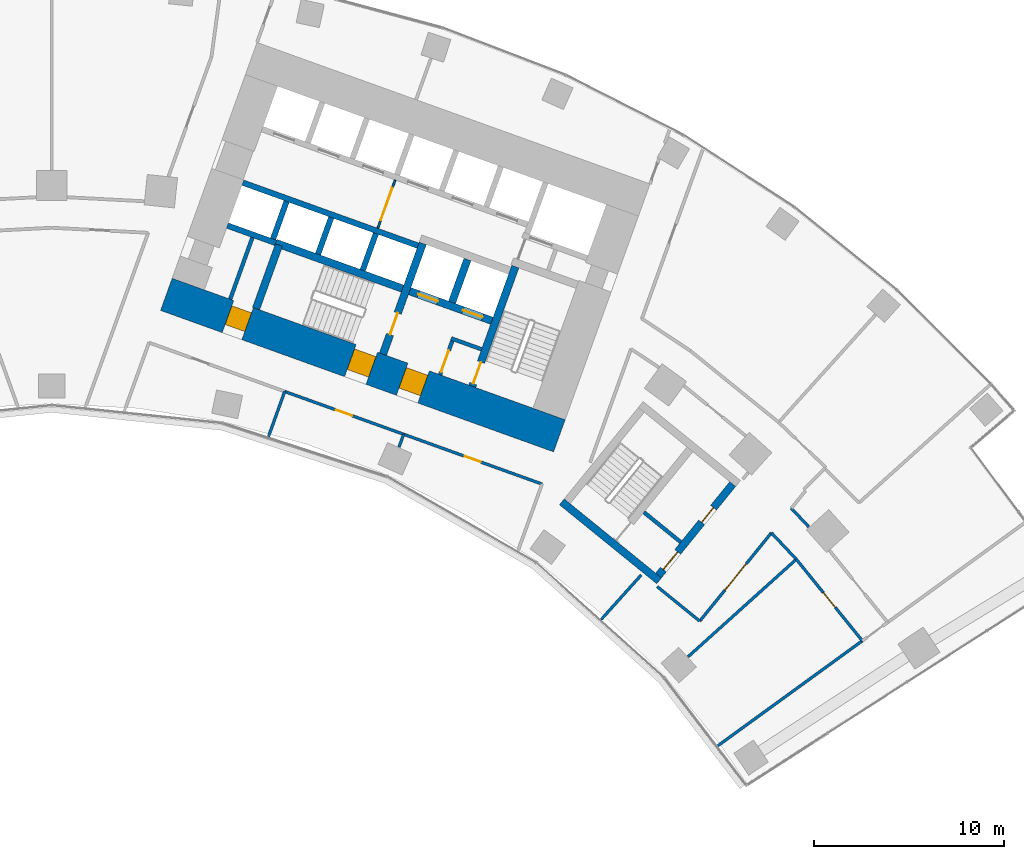
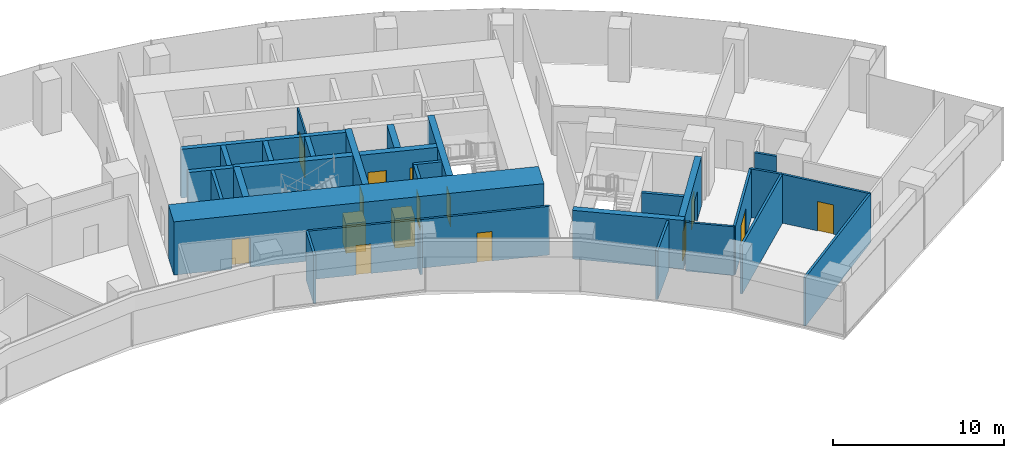
# One storey, part 17 of 21: 30 walls, 15 doors, 15 openings.
"""IFC4 building model written with IfcOpenShell, lengths in metres."""

from ifc_helpers import new_model, si_unit, direction, frame, frame_2d, origin, place, context, subcontext, project, spatial, rectangle, extrude, material, layer, layer_set, type_object, element, fill, save


model = new_model("IFC4")

# Units and contexts
model_context = context("Model", 3, precision=1e-05, world=origin(), true_north=direction((0.0, 1.0)))
body_context = subcontext(model_context, "Body", "Model", "MODEL_VIEW")
ifc_project = project(units=[si_unit("LENGTHUNIT", "METRE"), si_unit("AREAUNIT", "SQUARE_METRE"), si_unit("VOLUMEUNIT", "CUBIC_METRE"), si_unit("PLANEANGLEUNIT", "RADIAN"), si_unit("MASSUNIT", "GRAM", prefix="KILO")], contexts=[model_context])

# Site, building, storey
site_placement = place(None, origin())
site = spatial("IfcSite", under=ifc_project, at=site_placement, CompositionType="ELEMENT")
building_placement = place(site_placement, origin())
building = spatial("IfcBuilding", under=site, at=building_placement, Name="Stone Belt Terrace Tower", CompositionType="ELEMENT")
storey_placement = place(building_placement, frame((0.0, 0.0, 49.0)))
storey = spatial("IfcBuildingStorey", under=building, at=storey_placement, Name="L11", CompositionType="ELEMENT", Elevation=49.0)

# Wall, opening, door
ifc_material_1 = material(Name="Plasterboard partition")
ifc_layer_1 = layer(ifc_material_1, 0.10009765625)
ifc_layer_set_1 = layer_set([ifc_layer_1], Name="Core partition 100")
wall_type_1 = type_object("IfcWallType", Name="Core partition 100", PredefinedType="PARTITIONING", material=ifc_layer_set_1)
wall_1_placement = place(storey_placement, frame((17.17724609375, 52.749755859375, 0.0), z_axis=(0.0, 0.0, 1.0), x_axis=(0.338546555931, 0.940949642365, 0.0)))
wall_1 = element("IfcWall", 1, at=wall_1_placement, inside=storey, type_object=wall_type_1, Name="Core B wall", PredefinedType="PARTITIONING", context=body_context, shape_type="SweptSolid", body=[
    extrude(rectangle(XDim=2.699951171875, YDim=0.10009765625, at=frame_2d((1.35009765625, 0.0))), origin(), (0.0, 0.0, 1.0), 3.47998046875),
])
opening_1_placement = place(wall_1_placement, frame((0.449951171875, 0.0, 0.0)))
opening_1 = element("IfcOpeningElement", 2, at=opening_1_placement, cuts=wall_1, Name="Opening L11-C14", PredefinedType="OPENING", context=body_context, shape_type="SweptSolid", body=[
    extrude(rectangle(XDim=1.800048828125, YDim=2.10009765625, at=frame_2d((0.89990234375, 1.050048828125))), frame((0.0, 0.06005859375, 0.0), z_axis=(0.0, -1.0, 0.0), x_axis=(1.0, 0.0, 0.0)), (0.0, 0.0, 1.0), 0.1201171875),
])
ifc_material_2 = material(Name="Glazed aluminium door leaf", Category="aluminium")
door_type_1 = type_object("IfcDoorType", Name="Lift lobby entrance door 1800", OperationType="DOUBLE_DOOR_SINGLE_SWING", PredefinedType="DOOR", material=ifc_material_2)
door_1_placement = place(opening_1_placement, origin())
door_1 = element("IfcDoor", 3, at=door_1_placement, inside=storey, type_object=door_type_1, Name="Lift lobby double door core B", OperationType="DOUBLE_DOOR_SINGLE_SWING", OverallHeight=2.10009765625, OverallWidth=1.800048828125, PredefinedType="DOOR", context=body_context, shape_type="SweptSolid", body=[
    extrude(rectangle(XDim=1.800048828125, YDim=2.10009765625, at=frame_2d((0.89990234375, 1.050048828125))), frame((0.0, 0.02490234375, 0.0), z_axis=(0.0, -1.0, 0.0), x_axis=(1.0, 0.0, 0.0)), (0.0, 0.0, 1.0), 0.050048828125),
])
fill(opening_1, door_1)

# Wall, openings, doors
ifc_material_3 = material(Name="Concrete B80", Category="concrete")
ifc_layer_2 = layer(ifc_material_3, 1.800048828125)
ifc_layer_set_2 = layer_set([ifc_layer_2], Name="Core wall 1800 B80")
wall_type_2 = type_object("IfcWallType", Name="Core wall 1800 B80", PredefinedType="SHEAR", material=ifc_layer_set_2)
wall_2_placement = place(storey_placement, frame((6.039306640625, 49.265380859375, 0.0), z_axis=(0.0, 0.0, 1.0), x_axis=(0.940921642213, -0.338624368902, 0.0)))
wall_2 = element("IfcWall", 4, at=wall_2_placement, inside=storey, type_object=wall_type_2, Name="Core B wall concave L11", PredefinedType="SHEAR", context=body_context, shape_type="SweptSolid", body=[
    extrude(rectangle(XDim=22.0, YDim=1.800048828125, at=frame_2d((11.0, 0.0))), origin(), (0.0, 0.0, 1.0), 3.800048828125),
])
opening_2_placement = place(wall_2_placement, frame((13.199951171875, 0.0, 0.0)))
opening_2 = element("IfcOpeningElement", 5, at=opening_2_placement, cuts=wall_2, Name="Opening L11-C18", PredefinedType="OPENING", context=body_context, shape_type="SweptSolid", body=[
    extrude(rectangle(XDim=1.199951171875, YDim=2.10009765625, at=frame_2d((0.60009765625, 1.050048828125))), frame((0.0, 0.909912109375, 0.0), z_axis=(0.0, -1.0, 0.0), x_axis=(1.0, 0.0, 0.0)), (0.0, 0.0, 1.0), 1.820068359375),
])
opening_3_placement = place(wall_2_placement, frame((10.300048828125, 0.0, 0.0)))
opening_3 = element("IfcOpeningElement", 6, at=opening_3_placement, cuts=wall_2, Name="Opening L11-C20", PredefinedType="OPENING", context=body_context, shape_type="SweptSolid", body=[
    extrude(rectangle(XDim=1.199951171875, YDim=2.10009765625, at=frame_2d((0.60009765625, 1.050048828125))), frame((0.0, 0.909912109375, 0.0), z_axis=(0.0, -1.0, 0.0), x_axis=(1.0, 0.0, 0.0)), (0.0, 0.0, 1.0), 1.820068359375),
])
opening_4_placement = place(wall_2_placement, frame((3.449951171875, 0.0, 0.0)))
opening_4 = element("IfcOpeningElement", 7, at=opening_4_placement, cuts=wall_2, Name="Opening L11-C22", PredefinedType="OPENING", context=body_context, shape_type="SweptSolid", body=[
    extrude(rectangle(XDim=1.10009765625, YDim=2.10009765625, at=frame_2d((0.550048828125, 1.050048828125))), frame((0.0, 0.909912109375, 0.0), z_axis=(0.0, -1.0, 0.0), x_axis=(1.0, 0.0, 0.0)), (0.0, 0.0, 1.0), 1.820068359375),
])
ifc_material_4 = material(Name="Timber door leaf", Category="wood")
door_type_2 = type_object("IfcDoorType", Name="Core room door 1100", OperationType="SINGLE_SWING_LEFT", PredefinedType="DOOR", material=ifc_material_4)
door_2_placement = place(opening_4_placement, origin())
door_2 = element("IfcDoor", 8, at=door_2_placement, inside=storey, type_object=door_type_2, Name="Door to Communications riser room core B", OperationType="SINGLE_SWING_RIGHT", OverallHeight=2.10009765625, OverallWidth=1.10009765625, PredefinedType="DOOR", context=body_context, shape_type="SweptSolid", body=[
    extrude(rectangle(XDim=1.10009765625, YDim=2.10009765625, at=frame_2d((0.550048828125, 1.050048828125))), frame((0.0, 0.60498046875, 0.0), z_axis=(0.0, -1.0, 0.0), x_axis=(1.0, 0.0, 0.0)), (0.0, 0.0, 1.0), 1.050048828125),
])
fill(opening_4, door_2)
ifc_material_5 = material(Name="Steel door leaf", Category="steel")
door_type_3 = type_object("IfcDoorType", Name="Fire-fighting lobby door 1200", OperationType="SINGLE_SWING_LEFT", PredefinedType="DOOR", material=ifc_material_5)
door_3_placement = place(opening_2_placement, origin())
door_3 = element("IfcDoor", 9, at=door_3_placement, inside=storey, type_object=door_type_3, Name="Fire-fighting lobby door core B", OperationType="SINGLE_SWING_RIGHT", OverallHeight=2.10009765625, OverallWidth=1.199951171875, PredefinedType="DOOR", context=body_context, shape_type="SweptSolid", body=[
    extrude(rectangle(XDim=1.199951171875, YDim=2.10009765625, at=frame_2d((0.60009765625, 1.050048828125))), frame((0.0, 0.655029296875, 0.0), z_axis=(0.0, -1.0, 0.0), x_axis=(1.0, 0.0, 0.0)), (0.0, 0.0, 1.0), 1.14990234375),
])
fill(opening_2, door_3)
door_type_4 = type_object("IfcDoorType", Name="Stair door 1200", OperationType="SINGLE_SWING_LEFT", PredefinedType="DOOR", material=ifc_material_5)
door_4_placement = place(opening_3_placement, origin())
door_4 = element("IfcDoor", 10, at=door_4_placement, inside=storey, type_object=door_type_4, Name="Stair 2 exit door core B", OperationType="SINGLE_SWING_LEFT", OverallHeight=2.10009765625, OverallWidth=1.199951171875, PredefinedType="DOOR", context=body_context, shape_type="SweptSolid", body=[
    extrude(rectangle(XDim=1.199951171875, YDim=2.10009765625, at=frame_2d((0.60009765625, 1.050048828125))), frame((0.0, 0.655029296875, 0.0), z_axis=(0.0, -1.0, 0.0), x_axis=(1.0, 0.0, 0.0)), (0.0, 0.0, 1.0), 1.14990234375),
])
fill(opening_3, door_4)

# Walls
ifc_layer_3 = layer(ifc_material_3, 0.39990234375)
ifc_layer_set_3 = layer_set([ifc_layer_3], Name="Fire-fighting lift shaft wall 400")
wall_type_3 = type_object("IfcWallType", Name="Fire-fighting lift shaft wall 400", PredefinedType="SHEAR", material=ifc_layer_set_3)
wall_3_placement = place(storey_placement, frame((21.0859375, 48.845458984375, 0.0), z_axis=(0.0, 0.0, 1.0), x_axis=(0.338629416206, 0.940919825745, 0.0)))
element("IfcWall", 11, at=wall_3_placement, inside=storey, type_object=wall_type_3, Name="Core B wall", PredefinedType="SHEAR", context=body_context, shape_type="SweptSolid", body=[
    extrude(rectangle(XDim=2.400146484375, YDim=0.39990234375, at=frame_2d((1.2001953125, 0.0))), origin(), (0.0, 0.0, 1.0), 3.47998046875),
])
ifc_layer_4 = layer(ifc_material_3, 0.300048828125)
ifc_layer_set_4 = layer_set([ifc_layer_4], Name="Lift shaft wall 300")
wall_type_4 = type_object("IfcWallType", Name="Lift shaft wall 300", PredefinedType="SHEAR", material=ifc_layer_set_4)
wall_4_placement = place(storey_placement, frame((19.29052734375, 51.829833984375, 0.0), z_axis=(0.0, 0.0, 1.0), x_axis=(-0.940925833398, 0.338612722803, 0.0)))
element("IfcWall", 12, at=wall_4_placement, inside=storey, type_object=wall_type_4, Name="Core B wall", PredefinedType="SHEAR", context=body_context, shape_type="SweptSolid", body=[
    extrude(rectangle(XDim=9.7998046875, YDim=0.300048828125, at=frame_2d((4.89990234375, 0.0))), origin(), (0.0, 0.0, 1.0), 3.47998046875),
])
for number, where, z_axis, x_axis, name in (
    (13, (16.38134765625, 50.53857421875, 0.0), (0.0, 0.0, 1.0), (0.338681515556, 0.940901073982, 0.0), "Core B wall"),
    (14, (14.029052734375, 51.38525390625, 0.0), (0.0, 0.0, 1.0), (0.338681515556, 0.940901073982, 0.0), "Core B wall"),
):
    element("IfcWall", number, at=place(storey_placement, frame(where, z_axis=z_axis, x_axis=x_axis)), inside=storey, type_object=wall_type_4, Name=name, PredefinedType="SHEAR", context=body_context, shape_type="SweptSolid", body=[
        extrude(rectangle(XDim=2.050048828125, YDim=0.300048828125, at=frame_2d((1.02490234375, 0.0))), origin(), (0.0, 0.0, 1.0), 3.47998046875),
    ])
wall_5_placement = place(storey_placement, frame((11.797119140625, 51.975830078125, 0.0), z_axis=(0.0, 0.0, 1.0), x_axis=(-0.940910465161, 0.33865542451, 0.0)))
element("IfcWall", 15, at=wall_5_placement, inside=storey, type_object=wall_type_4, Name="Core B wall", PredefinedType="SHEAR", context=body_context, shape_type="SweptSolid", body=[
    extrude(rectangle(XDim=2.69970703125, YDim=0.300048828125, at=frame_2d((1.349853515625, 0.0))), origin(), (0.0, 0.0, 1.0), 3.47998046875),
])
wall_6_placement = place(storey_placement, frame((11.659912109375, 52.184814453125, 0.0), z_axis=(0.0, 0.0, 1.0), x_axis=(0.338670064856, 0.940905195634, 0.0)))
element("IfcWall", 16, at=wall_6_placement, inside=storey, type_object=wall_type_4, Name="Core B wall", PredefinedType="SHEAR", context=body_context, shape_type="SweptSolid", body=[
    extrude(rectangle(XDim=2.099853515625, YDim=0.300048828125, at=frame_2d((1.0498046875, 0.0))), origin(), (0.0, 0.0, 1.0), 3.47998046875),
])
ifc_material_6 = material(Name="Gypsum board partition")
ifc_layer_5 = layer(ifc_material_6, 0.14990234375)
ifc_layer_set_5 = layer_set([ifc_layer_5], Name="PARTITION 150 EI 60")
wall_type_5 = type_object("IfcWallType", Name="PARTITION 150 EI 60", PredefinedType="PARTITIONING", material=ifc_layer_set_5)
wall_7_placement = place(storey_placement, frame((31.054931640625, 34.489990234375, 0.0), z_axis=(0.0, 0.0, 1.0), x_axis=(-0.669118910745, -0.743155356089, 0.0)))
element("IfcWall", 17, at=wall_7_placement, inside=storey, type_object=wall_type_5, Name="L11/wall/i026", PredefinedType="PARTITIONING", context=body_context, shape_type="SweptSolid", body=[
    extrude(rectangle(XDim=3.149169921875, YDim=0.14990234375, at=frame_2d((1.57470703125, 0.0))), origin(), (0.0, 0.0, 1.0), 3.47998046875),
])

# Wall, opening, door
wall_8_placement = place(storey_placement, frame((18.54296875, 41.89599609375, 0.0), z_axis=(0.0, 0.0, 1.0), x_axis=(-0.940947591738, 0.338552255349, 0.0)))
wall_8 = element("IfcWall", 18, at=wall_8_placement, inside=storey, type_object=wall_type_5, Name="L11/wall/i029", PredefinedType="PARTITIONING", context=body_context, shape_type="SweptSolid", body=[
    extrude(rectangle(XDim=6.669677734375, YDim=0.14990234375, at=frame_2d((3.3349609375, 0.0))), origin(), (0.0, 0.0, 1.0), 3.47998046875),
])
opening_5_placement = place(wall_8_placement, frame((2.885009765625, 0.0, 0.0)))
opening_5 = element("IfcOpeningElement", 19, at=opening_5_placement, cuts=wall_8, Name="Opening D-A3-07", PredefinedType="OPENING", context=body_context, shape_type="SweptSolid", body=[
    extrude(rectangle(XDim=0.89990234375, YDim=2.10009765625, at=frame_2d((0.449951171875, 1.050048828125))), frame((0.0, 0.0849609375, 0.0), z_axis=(0.0, -1.0, 0.0), x_axis=(1.0, 0.0, 0.0)), (0.0, 0.0, 1.0), 0.169921875),
])
door_type_5 = type_object("IfcDoorType", Name="OFFICE DOOR 900 X 2100", OperationType="NOTDEFINED", PredefinedType="DOOR", material=ifc_material_4)
door_5_placement = place(opening_5_placement, origin())
door_5 = element("IfcDoor", 20, at=door_5_placement, inside=storey, type_object=door_type_5, Name="L11/door/i07", OperationType="SINGLE_SWING_RIGHT", OverallHeight=2.10009765625, OverallWidth=0.89990234375, PredefinedType="DOOR", context=body_context, shape_type="SweptSolid", body=[
    extrude(rectangle(XDim=0.89990234375, YDim=2.10009765625, at=frame_2d((0.449951171875, 1.050048828125))), frame((0.0, 0.02490234375, 0.0), z_axis=(0.0, -1.0, 0.0), x_axis=(1.0, 0.0, 0.0)), (0.0, 0.0, 1.0), 0.050048828125),
])
fill(opening_5, door_5)

wall_9_placement = place(storey_placement, frame((25.824951171875, 39.27490234375, 0.0), z_axis=(0.0, 0.0, 1.0), x_axis=(-0.940921131887, 0.338625786921, 0.0)))
wall_9 = element("IfcWall", 21, at=wall_9_placement, inside=storey, type_object=wall_type_5, Name="L11/wall/i030", PredefinedType="PARTITIONING", context=body_context, shape_type="SweptSolid", body=[
    extrude(rectangle(XDim=7.751953125, YDim=0.14990234375, at=frame_2d((3.8759765625, 0.0))), origin(), (0.0, 0.0, 1.0), 3.47998046875),
])
opening_6_placement = place(wall_9_placement, frame((3.426025390625, 0.0, 0.0)))
opening_6 = element("IfcOpeningElement", 22, at=opening_6_placement, cuts=wall_9, Name="Opening D-A3-08", PredefinedType="OPENING", context=body_context, shape_type="SweptSolid", body=[
    extrude(rectangle(XDim=0.89990234375, YDim=2.10009765625, at=frame_2d((0.449951171875, 1.050048828125))), frame((0.0, 0.0849609375, 0.0), z_axis=(0.0, -1.0, 0.0), x_axis=(1.0, 0.0, 0.0)), (0.0, 0.0, 1.0), 0.169921875),
])
door_6_placement = place(opening_6_placement, origin())
door_6 = element("IfcDoor", 23, at=door_6_placement, inside=storey, type_object=door_type_5, Name="L11/door/i08", OperationType="SINGLE_SWING_RIGHT", OverallHeight=2.10009765625, OverallWidth=0.89990234375, PredefinedType="DOOR", context=body_context, shape_type="SweptSolid", body=[
    extrude(rectangle(XDim=0.89990234375, YDim=2.10009765625, at=frame_2d((0.449951171875, 1.050048828125))), frame((0.0, 0.02490234375, 0.0), z_axis=(0.0, -1.0, 0.0), x_axis=(1.0, 0.0, 0.0)), (0.0, 0.0, 1.0), 0.050048828125),
])
fill(opening_6, door_6)

# Walls
wall_10_placement = place(storey_placement, frame((12.27294921875, 44.152099609375, 0.0), z_axis=(0.0, 0.0, 1.0), x_axis=(-0.338462482754, -0.940979887016, 0.0)))
element("IfcWall", 24, at=wall_10_placement, inside=storey, type_object=wall_type_5, Name="L11/wall/i031", PredefinedType="PARTITIONING", context=body_context, shape_type="SweptSolid", body=[
    extrude(rectangle(XDim=2.523193359375, YDim=0.14990234375, at=frame_2d((1.26171875, 0.0))), origin(), (0.0, 0.0, 1.0), 3.47998046875),
])
wall_11_placement = place(storey_placement, frame((18.537109375, 41.89794921875, 0.0), z_axis=(0.0, 0.0, 1.0), x_axis=(-0.339008718723, -0.940783231478, 0.0)))
element("IfcWall", 25, at=wall_11_placement, inside=storey, type_object=wall_type_5, Name="L11/wall/i032", PredefinedType="PARTITIONING", context=body_context, shape_type="SweptSolid", body=[
    extrude(rectangle(XDim=0.71728515625, YDim=0.14990234375, at=frame_2d((0.358642578125, 0.0))), origin(), (0.0, 0.0, 1.0), 3.47998046875),
])
wall_12_placement = place(storey_placement, frame((35.08642578125, 25.491455078125, 0.0), z_axis=(0.0, 0.0, 1.0), x_axis=(0.809055662947, 0.587732025887, 0.0)))
element("IfcWall", 26, at=wall_12_placement, inside=storey, type_object=wall_type_5, Name="L11/wall/i062", PredefinedType="PARTITIONING", context=body_context, shape_type="SweptSolid", body=[
    extrude(rectangle(XDim=9.41162109375, YDim=0.14990234375, at=frame_2d((4.705810546875, 0.0))), origin(), (0.0, 0.0, 1.0), 3.47998046875),
])
wall_13_placement = place(storey_placement, frame((39.218994140625, 35.31298828125, 0.0), z_axis=(0.0, 0.0, 1.0), x_axis=(-0.685150397177, 0.728401629082, 0.0)))
element("IfcWall", 27, at=wall_13_placement, inside=storey, type_object=wall_type_5, Name="L11/wall/i070", PredefinedType="PARTITIONING", context=body_context, shape_type="SweptSolid", body=[
    extrude(rectangle(XDim=1.919189453125, YDim=0.14990234375, at=frame_2d((0.95947265625, 0.0))), origin(), (0.0, 0.0, 1.0), 3.47998046875),
])

# Wall, opening, door
wall_14_placement = place(storey_placement, frame((42.696044921875, 31.02001953125, 0.0), z_axis=(0.0, 0.0, 1.0), x_axis=(-0.629393988906, 0.777086357318, 0.0)))
wall_14 = element("IfcWall", 28, at=wall_14_placement, inside=storey, type_object=wall_type_5, Name="L11/wall/i071", PredefinedType="PARTITIONING", context=body_context, shape_type="SweptSolid", body=[
    extrude(rectangle(XDim=5.5244140625, YDim=0.14990234375, at=frame_2d((2.76220703125, 0.0))), origin(), (0.0, 0.0, 1.0), 3.47998046875),
])
opening_7_placement = place(wall_14_placement, frame((2.26220703125, 0.0, 0.0)))
opening_7 = element("IfcOpeningElement", 29, at=opening_7_placement, cuts=wall_14, Name="Opening D-A3-23", PredefinedType="OPENING", context=body_context, shape_type="SweptSolid", body=[
    extrude(rectangle(XDim=1.0, YDim=2.10009765625, at=frame_2d((0.5, 1.050048828125))), frame((0.0, 0.0849609375, 0.0), z_axis=(0.0, -1.0, 0.0), x_axis=(1.0, 0.0, 0.0)), (0.0, 0.0, 1.0), 0.169921875),
])
ifc_material_7 = material(Name="Timber fire door leaf", Category="wood")
door_type_6 = type_object("IfcDoorType", Name="TENANCY ENTRANCE DOOR 1000 X 2100", OperationType="NOTDEFINED", PredefinedType="DOOR", material=ifc_material_7)
door_7_placement = place(opening_7_placement, origin())
door_7 = element("IfcDoor", 30, at=door_7_placement, inside=storey, type_object=door_type_6, Name="L11/door/i23", OperationType="SINGLE_SWING_RIGHT", OverallHeight=2.10009765625, OverallWidth=1.0, PredefinedType="DOOR", context=body_context, shape_type="SweptSolid", body=[
    extrude(rectangle(XDim=1.0, YDim=2.10009765625, at=frame_2d((0.5, 1.050048828125))), frame((0.0, 0.02490234375, 0.0), z_axis=(0.0, -1.0, 0.0), x_axis=(1.0, 0.0, 0.0)), (0.0, 0.0, 1.0), 0.050048828125),
])
fill(opening_7, door_7)

# Wall
wall_15_placement = place(storey_placement, frame((38.951904296875, 38.00390625, 0.0), z_axis=(0.0, 0.0, 1.0), x_axis=(0.685517138115, -0.728056490494, 0.0)))
element("IfcWall", 31, at=wall_15_placement, inside=storey, type_object=wall_type_5, Name="L11/wall/i072", PredefinedType="PARTITIONING", context=body_context, shape_type="SweptSolid", body=[
    extrude(rectangle(XDim=1.3486328125, YDim=0.14990234375, at=frame_2d((0.67431640625, 0.0))), origin(), (0.0, 0.0, 1.0), 3.47998046875),
])

# Wall, opening, door
wall_16_placement = place(storey_placement, frame((34.133056640625, 32.055908203125, 0.0), z_axis=(0.0, 0.0, 1.0), x_axis=(0.630176722579, 0.776451735988, 0.0)))
wall_16 = element("IfcWall", 32, at=wall_16_placement, inside=storey, type_object=wall_type_5, Name="L11/wall/i075", PredefinedType="PARTITIONING", context=body_context, shape_type="SweptSolid", body=[
    extrude(rectangle(XDim=5.990234375, YDim=0.14990234375, at=frame_2d((2.9951171875, 0.0))), origin(), (0.0, 0.0, 1.0), 3.47998046875),
])
opening_8_placement = place(wall_16_placement, frame((2.09521484375, 0.0, 0.0)))
opening_8 = element("IfcOpeningElement", 33, at=opening_8_placement, cuts=wall_16, Name="Opening D-A3-22", PredefinedType="OPENING", context=body_context, shape_type="SweptSolid", body=[
    extrude(rectangle(XDim=1.800048828125, YDim=2.10009765625, at=frame_2d((0.89990234375, 1.050048828125))), frame((0.0, 0.0849609375, 0.0), z_axis=(0.0, -1.0, 0.0), x_axis=(1.0, 0.0, 0.0)), (0.0, 0.0, 1.0), 0.169921875),
])
door_type_7 = type_object("IfcDoorType", Name="DOUBLE DOOR 1800 X 2100", OperationType="DOUBLE_DOOR_SINGLE_SWING", PredefinedType="DOOR", material=ifc_material_4)
door_8_placement = place(opening_8_placement, origin())
door_8 = element("IfcDoor", 34, at=door_8_placement, inside=storey, type_object=door_type_7, Name="L11/door/i22", OperationType="DOUBLE_DOOR_SINGLE_SWING", OverallHeight=2.10009765625, OverallWidth=1.800048828125, PredefinedType="DOOR", context=body_context, shape_type="SweptSolid", body=[
    extrude(rectangle(XDim=1.800048828125, YDim=2.10009765625, at=frame_2d((0.89990234375, 1.050048828125))), frame((0.0, 0.02490234375, 0.0), z_axis=(0.0, -1.0, 0.0), x_axis=(1.0, 0.0, 0.0)), (0.0, 0.0, 1.0), 0.050048828125),
])
fill(opening_8, door_8)

# Walls
wall_17_placement = place(storey_placement, frame((34.133056640625, 32.055908203125, 0.0), z_axis=(0.0, 0.0, 1.0), x_axis=(-0.776369956068, 0.630277471686, 0.0)))
element("IfcWall", 35, at=wall_17_placement, inside=storey, type_object=wall_type_5, Name="L11/wall/i076", PredefinedType="PARTITIONING", context=body_context, shape_type="SweptSolid", body=[
    extrude(rectangle(XDim=2.8876953125, YDim=0.14990234375, at=frame_2d((1.44384765625, 0.0))), origin(), (0.0, 0.0, 1.0), 3.47998046875),
])
wall_18_placement = place(storey_placement, frame((39.218994140625, 35.31298828125, 0.0), z_axis=(0.0, 0.0, 1.0), x_axis=(-0.743135942629, -0.669140471629, 0.0)))
element("IfcWall", 36, at=wall_18_placement, inside=storey, type_object=wall_type_5, Name="L11/wall/i078", PredefinedType="PARTITIONING", context=body_context, shape_type="SweptSolid", body=[
    extrude(rectangle(XDim=7.67431640625, YDim=0.14990234375, at=frame_2d((3.837158203125, 0.0))), origin(), (0.0, 0.0, 1.0), 3.47998046875),
])
ifc_material_8 = material(Name="Concrete masonry block", Category="masonry")
ifc_layer_6 = layer(ifc_material_8, 0.199951171875)
ifc_layer_set_6 = layer_set([ifc_layer_6], Name="Rated lobby wall 200")
wall_type_6 = type_object("IfcWallType", Name="Rated lobby wall 200", PredefinedType="PARTITIONING", material=ifc_layer_set_6)
wall_19_placement = place(storey_placement, frame((22.640625, 46.373046875, 0.0), z_axis=(0.0, 0.0, 1.0), x_axis=(-0.940966110313, 0.338500781747, 0.0)))
element("IfcWall", 37, at=wall_19_placement, inside=storey, type_object=wall_type_6, Name="Core B wall", PredefinedType="PARTITIONING", context=body_context, shape_type="SweptSolid", body=[
    extrude(rectangle(XDim=1.699951171875, YDim=0.199951171875, at=frame_2d((0.85009765625, 0.0))), origin(), (0.0, 0.0, 1.0), 3.47998046875),
])

# Wall, opening, door
wall_20_placement = place(storey_placement, frame((20.4580078125, 45.032958984375, 0.0), z_axis=(0.0, 0.0, 1.0), x_axis=(0.338573865316, 0.940939816208, 0.0)))
wall_20 = element("IfcWall", 38, at=wall_20_placement, inside=storey, type_object=wall_type_6, Name="Core B wall", PredefinedType="PARTITIONING", context=body_context, shape_type="SweptSolid", body=[
    extrude(rectangle(XDim=1.900146484375, YDim=0.199951171875, at=frame_2d((0.9501953125, 0.0))), origin(), (0.0, 0.0, 1.0), 3.47998046875),
])
opening_9_placement = place(wall_20_placement, frame((0.14990234375, 0.0, 0.0)))
opening_9 = element("IfcOpeningElement", 39, at=opening_9_placement, cuts=wall_20, Name="Opening L11-C17", PredefinedType="OPENING", context=body_context, shape_type="SweptSolid", body=[
    extrude(rectangle(XDim=1.199951171875, YDim=2.10009765625, at=frame_2d((0.60009765625, 1.050048828125))), frame((0.0, 0.10986328125, 0.0), z_axis=(0.0, -1.0, 0.0), x_axis=(1.0, 0.0, 0.0)), (0.0, 0.0, 1.0), 0.219970703125),
])
door_9_placement = place(opening_9_placement, origin())
door_9 = element("IfcDoor", 40, at=door_9_placement, inside=storey, type_object=door_type_4, Name="Stair airlock door core B", OperationType="SINGLE_SWING_RIGHT", OverallHeight=2.10009765625, OverallWidth=1.199951171875, PredefinedType="DOOR", context=body_context, shape_type="SweptSolid", body=[
    extrude(rectangle(XDim=1.199951171875, YDim=2.10009765625, at=frame_2d((0.60009765625, 1.050048828125))), frame((0.0, 0.02490234375, 0.0), z_axis=(0.0, -1.0, 0.0), x_axis=(1.0, 0.0, 0.0)), (0.0, 0.0, 1.0), 0.050048828125),
])
fill(opening_9, door_9)

# Walls
wall_21_placement = place(storey_placement, frame((9.402099609375, 49.01171875, 0.0), z_axis=(0.0, 0.0, 1.0), x_axis=(0.338599189079, 0.940930703695, 0.0)))
element("IfcWall", 41, at=wall_21_placement, inside=storey, type_object=wall_type_6, Name="Core B wall", PredefinedType="PARTITIONING", context=body_context, shape_type="SweptSolid", body=[
    extrude(rectangle(XDim=3.4501953125, YDim=0.199951171875, at=frame_2d((1.72509765625, 0.0))), origin(), (0.0, 0.0, 1.0), 3.47998046875),
])
wall_22_placement = place(storey_placement, frame((31.190673828125, 37.79296875, 0.0), z_axis=(0.0, 0.0, 1.0), x_axis=(0.776370830301, -0.630276394813, 0.0)))
element("IfcWall", 42, at=wall_22_placement, inside=storey, type_object=wall_type_6, Name="Exit stair ST3B wall", PredefinedType="PARTITIONING", context=body_context, shape_type="SweptSolid", body=[
    extrude(rectangle(XDim=2.5, YDim=0.199951171875, at=frame_2d((1.25, 0.0))), origin(), (0.0, 0.0, 1.0), 3.47998046875),
])

# Wall, opening, door
ifc_layer_7 = layer(ifc_material_3, 0.39990234375)
ifc_layer_set_7 = layer_set([ifc_layer_7], Name="Stair enclosure wall 400")
wall_type_7 = type_object("IfcWallType", Name="Stair enclosure wall 400", PredefinedType="SHEAR", material=ifc_layer_set_7)
wall_23_placement = place(storey_placement, frame((22.151611328125, 44.42333984375, 0.0), z_axis=(0.0, 0.0, 1.0), x_axis=(0.338625272931, 0.940921316866, 0.0)))
wall_23 = element("IfcWall", 43, at=wall_23_placement, inside=storey, type_object=wall_type_7, Name="Core B wall", PredefinedType="SHEAR", context=body_context, shape_type="SweptSolid", body=[
    extrude(rectangle(XDim=6.699951171875, YDim=0.39990234375, at=frame_2d((3.35009765625, 0.0))), origin(), (0.0, 0.0, 1.0), 3.47998046875),
])
opening_10_placement = place(wall_23_placement, frame((0.14990234375, 0.0, 0.0)))
opening_10 = element("IfcOpeningElement", 44, at=opening_10_placement, cuts=wall_23, Name="Opening L11-C16", PredefinedType="OPENING", context=body_context, shape_type="SweptSolid", body=[
    extrude(rectangle(XDim=1.199951171875, YDim=2.10009765625, at=frame_2d((0.60009765625, 1.050048828125))), frame((0.0, 0.2099609375, 0.0), z_axis=(0.0, -1.0, 0.0), x_axis=(1.0, 0.0, 0.0)), (0.0, 0.0, 1.0), 0.419921875),
])
door_10_placement = place(opening_10_placement, origin())
door_10 = element("IfcDoor", 45, at=door_10_placement, inside=storey, type_object=door_type_4, Name="Stair 1 door core B", OperationType="SINGLE_SWING_RIGHT", OverallHeight=2.10009765625, OverallWidth=1.199951171875, PredefinedType="DOOR", context=body_context, shape_type="SweptSolid", body=[
    extrude(rectangle(XDim=1.199951171875, YDim=2.10009765625, at=frame_2d((0.60009765625, 1.050048828125))), frame((0.0, 0.02490234375, 0.0), z_axis=(0.0, -1.0, 0.0), x_axis=(1.0, 0.0, 0.0)), (0.0, 0.0, 1.0), 0.050048828125),
])
fill(opening_10, door_10)

# Wall, openings, doors
wall_24_placement = place(storey_placement, frame((23.182373046875, 47.87841796875, 0.0), z_axis=(0.0, 0.0, 1.0), x_axis=(-0.940921101762, 0.338625870628, 0.0)))
wall_24 = element("IfcWall", 46, at=wall_24_placement, inside=storey, type_object=wall_type_7, Name="Core B wall", PredefinedType="SHEAR", context=body_context, shape_type="SweptSolid", body=[
    extrude(rectangle(XDim=12.10009765625, YDim=0.39990234375, at=frame_2d((6.050048828125, 0.0))), origin(), (0.0, 0.0, 1.0), 3.47998046875),
])
opening_11_placement = place(wall_24_placement, frame((0.52001953125, 0.0, 0.0)))
opening_11 = element("IfcOpeningElement", 47, at=opening_11_placement, cuts=wall_24, Name="Opening L11-LD16", PredefinedType="OPENING", context=body_context, shape_type="SweptSolid", body=[
    extrude(rectangle(XDim=1.10009765625, YDim=2.199951171875, at=frame_2d((0.550048828125, 1.10009765625))), frame((0.0, 0.2099609375, 0.0), z_axis=(0.0, -1.0, 0.0), x_axis=(1.0, 0.0, 0.0)), (0.0, 0.0, 1.0), 0.419921875),
])
opening_12_placement = place(wall_24_placement, frame((3.02001953125, 0.0, 0.0)))
opening_12 = element("IfcOpeningElement", 48, at=opening_12_placement, cuts=wall_24, Name="Opening L11-LD17", PredefinedType="OPENING", context=body_context, shape_type="SweptSolid", body=[
    extrude(rectangle(XDim=1.10009765625, YDim=2.199951171875, at=frame_2d((0.550048828125, 1.10009765625))), frame((0.0, 0.2099609375, 0.0), z_axis=(0.0, -1.0, 0.0), x_axis=(1.0, 0.0, 0.0)), (0.0, 0.0, 1.0), 0.419921875),
])
ifc_material_9 = material(Name="Stainless steel door leaf", Category="steel")
door_type_8 = type_object("IfcDoorType", Name="Landing door 1100", OperationType="SLIDING_TO_LEFT", PredefinedType="DOOR", material=ifc_material_9)
door_11_placement = place(opening_11_placement, origin())
door_11 = element("IfcDoor", 49, at=door_11_placement, inside=storey, type_object=door_type_8, Name="Landing door FF1 core B", OperationType="SLIDING_TO_LEFT", OverallHeight=2.199951171875, OverallWidth=1.10009765625, PredefinedType="DOOR", context=body_context, shape_type="SweptSolid", body=[
    extrude(rectangle(XDim=1.10009765625, YDim=2.199951171875, at=frame_2d((0.550048828125, 1.10009765625))), frame((0.0, 0.02490234375, 0.0), z_axis=(0.0, -1.0, 0.0), x_axis=(1.0, 0.0, 0.0)), (0.0, 0.0, 1.0), 0.050048828125),
])
fill(opening_11, door_11)
door_12_placement = place(opening_12_placement, origin())
door_12 = element("IfcDoor", 50, at=door_12_placement, inside=storey, type_object=door_type_8, Name="Landing door FF2 core B", OperationType="SLIDING_TO_LEFT", OverallHeight=2.199951171875, OverallWidth=1.10009765625, PredefinedType="DOOR", context=body_context, shape_type="SweptSolid", body=[
    extrude(rectangle(XDim=1.10009765625, YDim=2.199951171875, at=frame_2d((0.550048828125, 1.10009765625))), frame((0.0, 0.02490234375, 0.0), z_axis=(0.0, -1.0, 0.0), x_axis=(1.0, 0.0, 0.0)), (0.0, 0.0, 1.0), 0.050048828125),
])
fill(opening_12, door_12)

# Wall, opening, door
wall_25_placement = place(storey_placement, frame((17.447021484375, 46.116455078125, 0.0), z_axis=(0.0, 0.0, 1.0), x_axis=(0.33860791464, 0.940927563707, 0.0)))
wall_25 = element("IfcWall", 51, at=wall_25_placement, inside=storey, type_object=wall_type_7, Name="Core B wall", PredefinedType="SHEAR", context=body_context, shape_type="SweptSolid", body=[
    extrude(rectangle(XDim=6.199951171875, YDim=0.39990234375, at=frame_2d((3.10009765625, 0.0))), origin(), (0.0, 0.0, 1.0), 3.47998046875),
])
opening_13_placement = place(wall_25_placement, frame((1.10009765625, 0.0, 0.0)))
opening_13 = element("IfcOpeningElement", 52, at=opening_13_placement, cuts=wall_25, Name="Opening L11-C19", PredefinedType="OPENING", context=body_context, shape_type="SweptSolid", body=[
    extrude(rectangle(XDim=1.199951171875, YDim=2.10009765625, at=frame_2d((0.60009765625, 1.050048828125))), frame((0.0, 0.2099609375, 0.0), z_axis=(0.0, -1.0, 0.0), x_axis=(1.0, 0.0, 0.0)), (0.0, 0.0, 1.0), 0.419921875),
])
door_13_placement = place(opening_13_placement, origin())
door_13 = element("IfcDoor", 53, at=door_13_placement, inside=storey, type_object=door_type_4, Name="Stair 2 door core B", OperationType="SINGLE_SWING_RIGHT", OverallHeight=2.10009765625, OverallWidth=1.199951171875, PredefinedType="DOOR", context=body_context, shape_type="SweptSolid", body=[
    extrude(rectangle(XDim=1.199951171875, YDim=2.10009765625, at=frame_2d((0.60009765625, 1.050048828125))), frame((0.0, 0.02490234375, 0.0), z_axis=(0.0, -1.0, 0.0), x_axis=(1.0, 0.0, 0.0)), (0.0, 0.0, 1.0), 0.050048828125),
])
fill(opening_13, door_13)

# Walls
wall_26_placement = place(storey_placement, frame((10.766357421875, 48.520751953125, 0.0), z_axis=(0.0, 0.0, 1.0), x_axis=(0.338626928157, 0.94092072117, 0.0)))
element("IfcWall", 54, at=wall_26_placement, inside=storey, type_object=wall_type_7, Name="Core B wall", PredefinedType="SHEAR", context=body_context, shape_type="SweptSolid", body=[
    extrude(rectangle(XDim=3.550048828125, YDim=0.39990234375, at=frame_2d((1.77490234375, 0.0))), origin(), (0.0, 0.0, 1.0), 3.47998046875),
])
wall_27_placement = place(storey_placement, frame((26.868408203125, 38.3388671875, 0.0), z_axis=(0.0, 0.0, 1.0), x_axis=(0.776428452498, -0.630205409491, 0.0)))
element("IfcWall", 55, at=wall_27_placement, inside=storey, type_object=wall_type_7, Name="Exit stair ST3B wall", PredefinedType="SHEAR", context=body_context, shape_type="SweptSolid", body=[
    extrude(rectangle(XDim=6.60009765625, YDim=0.39990234375, at=frame_2d((3.300048828125, 0.0))), origin(), (0.0, 0.0, 1.0), 3.47998046875),
])

# Wall, openings, doors
wall_28_placement = place(storey_placement, frame((31.963623046875, 34.460693359375, 0.0), z_axis=(0.0, 0.0, 1.0), x_axis=(0.630192283849, 0.776439106033, 0.0)))
wall_28 = element("IfcWall", 56, at=wall_28_placement, inside=storey, type_object=wall_type_7, Name="Exit stair ST3B wall", PredefinedType="SHEAR", context=body_context, shape_type="SweptSolid", body=[
    extrude(rectangle(XDim=6.199951171875, YDim=0.39990234375, at=frame_2d((3.10009765625, 0.0))), origin(), (0.0, 0.0, 1.0), 3.47998046875),
])
opening_14_placement = place(wall_28_placement, frame((0.39990234375, 0.0, 0.0)))
opening_14 = element("IfcOpeningElement", 57, at=opening_14_placement, cuts=wall_28, Name="Opening L11-C27", PredefinedType="OPENING", context=body_context, shape_type="SweptSolid", body=[
    extrude(rectangle(XDim=1.199951171875, YDim=2.10009765625, at=frame_2d((0.60009765625, 1.050048828125))), frame((0.0, 0.2099609375, 0.0), z_axis=(0.0, -1.0, 0.0), x_axis=(1.0, 0.0, 0.0)), (0.0, 0.0, 1.0), 0.419921875),
])
opening_15_placement = place(wall_28_placement, frame((3.60009765625, 0.0, 0.0)))
opening_15 = element("IfcOpeningElement", 58, at=opening_15_placement, cuts=wall_28, Name="Opening L11-C28", PredefinedType="OPENING", context=body_context, shape_type="SweptSolid", body=[
    extrude(rectangle(XDim=1.0, YDim=2.10009765625, at=frame_2d((0.5, 1.050048828125))), frame((0.0, 0.2099609375, 0.0), z_axis=(0.0, -1.0, 0.0), x_axis=(1.0, 0.0, 0.0)), (0.0, 0.0, 1.0), 0.419921875),
])
door_type_9 = type_object("IfcDoorType", Name="Core room door 1000", OperationType="SINGLE_SWING_LEFT", PredefinedType="DOOR", material=ifc_material_4)
door_14_placement = place(opening_15_placement, origin())
door_14 = element("IfcDoor", 59, at=door_14_placement, inside=storey, type_object=door_type_9, Name="Door to stair pressurisation plant room ST3B", OperationType="SINGLE_SWING_LEFT", OverallHeight=2.10009765625, OverallWidth=1.0, PredefinedType="DOOR", context=body_context, shape_type="SweptSolid", body=[
    extrude(rectangle(XDim=1.0, YDim=2.10009765625, at=frame_2d((0.5, 1.050048828125))), frame((0.0, 0.02490234375, 0.0), z_axis=(0.0, -1.0, 0.0), x_axis=(1.0, 0.0, 0.0)), (0.0, 0.0, 1.0), 0.050048828125),
])
fill(opening_15, door_14)
door_type_10 = type_object("IfcDoorType", Name="Stair airlock door 1200", OperationType="SINGLE_SWING_LEFT", PredefinedType="DOOR", material=ifc_material_5)
door_15_placement = place(opening_14_placement, origin())
door_15 = element("IfcDoor", 60, at=door_15_placement, inside=storey, type_object=door_type_10, Name="Stair airlock door ST3B", OperationType="SINGLE_SWING_LEFT", OverallHeight=2.10009765625, OverallWidth=1.199951171875, PredefinedType="DOOR", context=body_context, shape_type="SweptSolid", body=[
    extrude(rectangle(XDim=1.199951171875, YDim=2.10009765625, at=frame_2d((0.60009765625, 1.050048828125))), frame((0.0, 0.02490234375, 0.0), z_axis=(0.0, -1.0, 0.0), x_axis=(1.0, 0.0, 0.0)), (0.0, 0.0, 1.0), 0.050048828125),
])
fill(opening_14, door_15)

save(model, "model.ifc")
